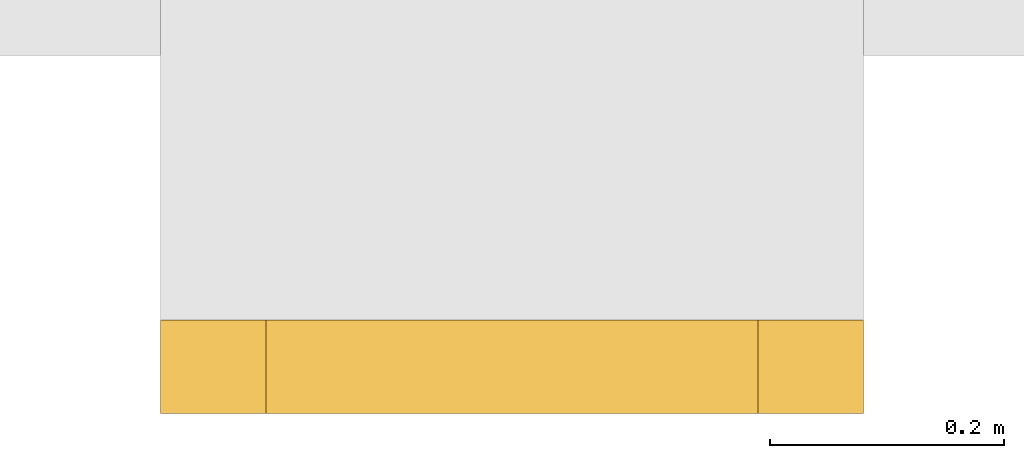
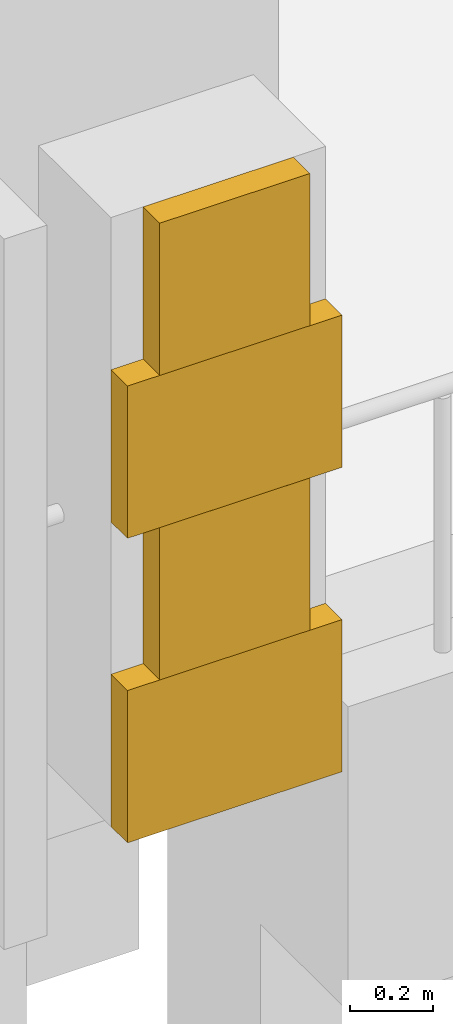
# One storey, part 57 of 61: 4 coverings.
"""IFC4 building model written with IfcOpenShell, lengths in metres."""

from ifc_helpers import new_model, si_unit, direction, frame, origin, place, context, subcontext, project, spatial, polyline, outline, extrude, material, layer, layer_set, type_object, element, save


model = new_model("IFC4")

# Units and contexts
model_context = context("Model", 3, precision=1e-05, world=origin(), true_north=direction((0.0, 1.0)))
body_context = subcontext(model_context, "Body", "Model", "MODEL_VIEW")
ifc_project = project(units=[si_unit("LENGTHUNIT", "METRE"), si_unit("AREAUNIT", "SQUARE_METRE"), si_unit("VOLUMEUNIT", "CUBIC_METRE"), si_unit("PLANEANGLEUNIT", "RADIAN"), si_unit("MASSUNIT", "GRAM", prefix="KILO")], contexts=[model_context])

# Site, building, storey
site_placement = place(None, origin())
site = spatial("IfcSite", under=ifc_project, at=site_placement, CompositionType="ELEMENT")
building_placement = place(site_placement, origin())
building = spatial("IfcBuilding", under=site, at=building_placement, Name="Cour d'Honneur Mobility Palace", CompositionType="ELEMENT")
storey_placement = place(building_placement, frame((0.0, 0.0, 11.89990234375)))
storey = spatial("IfcBuildingStorey", under=building, at=storey_placement, Name="L03", CompositionType="ELEMENT", Elevation=11.89990234375)

# Coverings
ifc_material = material(Name="Cast limestone", Category="masonry")
ifc_layer = layer(ifc_material, 0.080078125)
ifc_layer_set = layer_set([ifc_layer], Name="Cast limestone")
covering_type = type_object("IfcCoveringType", Name="Quoin block", PredefinedType="CLADDING", material=ifc_layer_set)
covering_1_placement = place(storey_placement, frame((0.0, 0.0, 0.300048828125)))
element("IfcCovering", 1, at=covering_1_placement, inside=storey, type_object=covering_type, Name="Quoin block QN-17", PredefinedType="CLADDING", context=body_context, shape_type="SweptSolid", body=[
    extrude(outline(polyline([(8.39990234375, -0.800048828125), (9.0, -0.800048828125), (9.0, -0.8798828125), (8.39990234375, -0.8798828125), (8.39990234375, -0.800048828125)])), origin(), (0.0, 0.0, 1.0), 0.449951171875),
])
covering_2_placement = place(storey_placement, frame((0.0, 0.0, 0.75)))
element("IfcCovering", 2, at=covering_2_placement, inside=storey, type_object=covering_type, Name="Quoin block QN-18", PredefinedType="CLADDING", context=body_context, shape_type="SweptSolid", body=[
    extrude(outline(polyline([(8.489990234375, -0.800048828125), (8.909912109375, -0.800048828125), (8.909912109375, -0.8798828125), (8.489990234375, -0.8798828125), (8.489990234375, -0.800048828125)])), origin(), (0.0, 0.0, 1.0), 0.4501953125),
])
covering_3_placement = place(storey_placement, frame((0.0, 0.0, 1.2001953125)))
element("IfcCovering", 3, at=covering_3_placement, inside=storey, type_object=covering_type, Name="Quoin block QN-19", PredefinedType="CLADDING", context=body_context, shape_type="SweptSolid", body=[
    extrude(outline(polyline([(8.39990234375, -0.800048828125), (9.0, -0.800048828125), (9.0, -0.8798828125), (8.39990234375, -0.8798828125), (8.39990234375, -0.800048828125)])), origin(), (0.0, 0.0, 1.0), 0.449951171875),
])
covering_4_placement = place(storey_placement, frame((0.0, 0.0, 1.650146484375)))
element("IfcCovering", 4, at=covering_4_placement, inside=storey, type_object=covering_type, Name="Quoin block QN-20", PredefinedType="CLADDING", context=body_context, shape_type="SweptSolid", body=[
    extrude(outline(polyline([(8.489990234375, -0.800048828125), (8.909912109375, -0.800048828125), (8.909912109375, -0.8798828125), (8.489990234375, -0.8798828125), (8.489990234375, -0.800048828125)])), origin(), (0.0, 0.0, 1.0), 0.449951171875),
])

save(model, "model.ifc")
